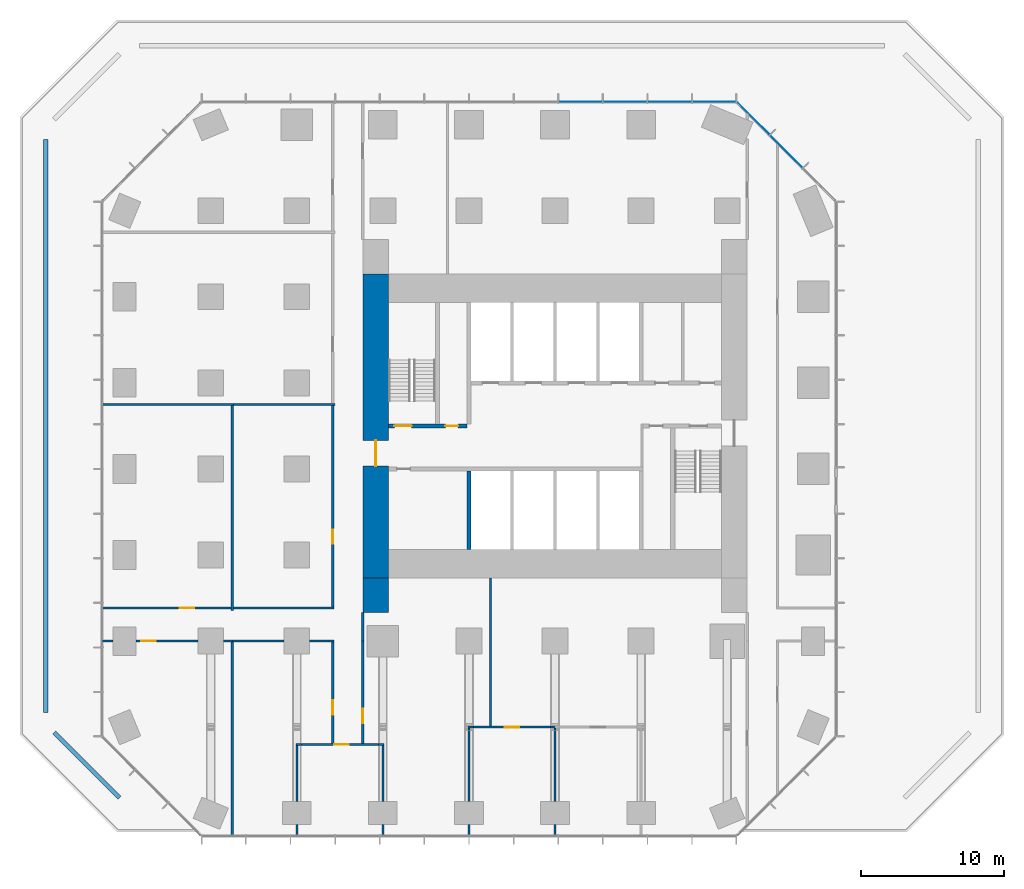
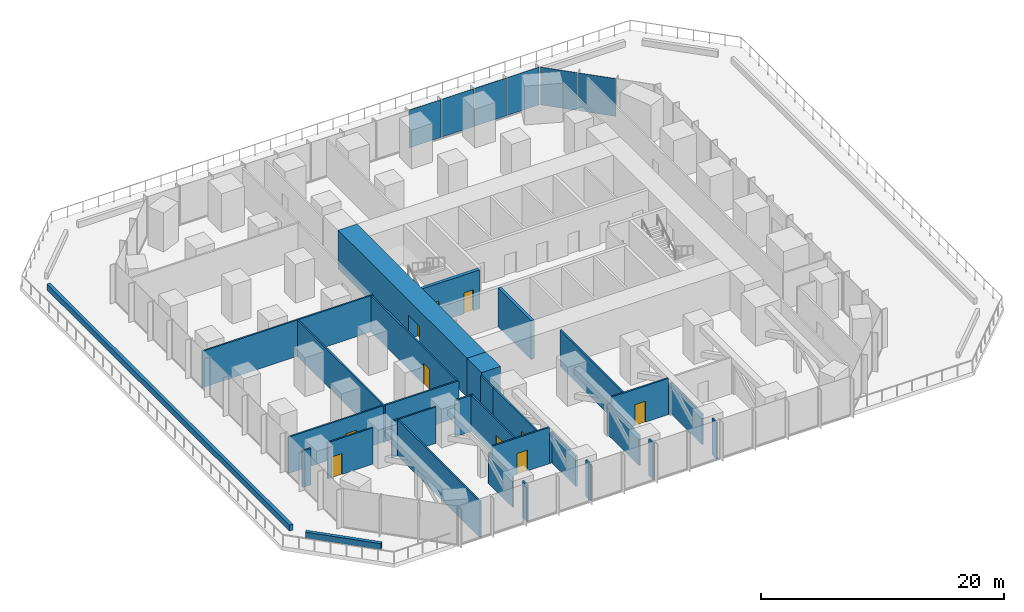
# One storey, part 8 of 11: 36 walls, 10 doors, 6 plates, 10 openings, 2 elements without a shape of their own.
"""IFC4 building model written with IfcOpenShell, lengths in metres."""

from ifc_helpers import new_model, si_unit, direction, frame, frame_2d, origin, origin_2d, place, context, subcontext, project, spatial, rectangle, extrude, material, layer, layer_set, type_object, element, fill, aggregate, save


model = new_model("IFC4")

# Units and contexts
model_context = context("Model", 3, precision=1e-05, world=origin(), true_north=direction((0.0, 1.0)))
body_context = subcontext(model_context, "Body", "Model", "MODEL_VIEW")
ifc_project = project(units=[si_unit("LENGTHUNIT", "METRE"), si_unit("AREAUNIT", "SQUARE_METRE"), si_unit("VOLUMEUNIT", "CUBIC_METRE"), si_unit("PLANEANGLEUNIT", "RADIAN"), si_unit("MASSUNIT", "GRAM", prefix="KILO")], contexts=[model_context])

# Site, building, storey
site_placement = place(None, origin())
site = spatial("IfcSite", under=ifc_project, at=site_placement, CompositionType="ELEMENT")
building_placement = place(site_placement, origin())
building = spatial("IfcBuilding", under=site, at=building_placement, Name="Highveld Stack Headquarters", CompositionType="ELEMENT")
storey_placement = place(building_placement, frame((0.0, 0.0, 18.199951171875)))
storey = spatial("IfcBuildingStorey", under=building, at=storey_placement, Name="L03", CompositionType="ELEMENT", Elevation=18.199951171875)

# Curtain wall, plates
ifc_material_1 = material(Name="Aluminium bronze anodised", Category="aluminium")
ifc_layer_1 = layer(ifc_material_1, 0.199951171875)
ifc_layer_set_1 = layer_set([ifc_layer_1], Name="Aluminium bronze anodised")
curtain_wall_type_1 = type_object("IfcCurtainWallType", Name="CW1 TOWER UNITISED CURTAIN WALL", PredefinedType="NOTDEFINED", material=ifc_layer_set_1)
curtain_wall_1_placement = place(storey_placement, origin())
curtain_wall_1 = element("IfcCurtainWall", 1, at=curtain_wall_1_placement, inside=storey, type_object=curtain_wall_type_1, Name="Curtain wall CW1 L03 N", PredefinedType="NOTDEFINED")
ifc_material_2 = material(Name="Glass bronze tinted double glazed unit", Category="glass")
ifc_layer_2 = layer(ifc_material_2, 0.028076171875)
ifc_layer_set_2 = layer_set([ifc_layer_2], Name="Glass bronze tinted double glazed unit")
plate_type_1 = type_object("IfcPlateType", Name="CW1 PANEL BRONZE TINTED DOUBLE GLAZED UNIT", PredefinedType="CURTAIN_PANEL", material=ifc_layer_set_2)
plate_1_placement = place(storey_placement, frame((17.09130859375, 25.60009765625, 0.10009765625), z_axis=(0.0, 0.0, 1.0), x_axis=(-1.0, 0.0, 0.0)))
plate_1 = element("IfcPlate", 2, at=plate_1_placement, type_object=plate_type_1, Name="CW1 panel L03 1.1", PredefinedType="CURTAIN_PANEL", context=body_context, shape_type="SweptSolid", body=[
    extrude(rectangle(XDim=3.012939453125, YDim=0.028076171875, at=origin_2d()), origin(), (0.0, 0.0, 1.0), 3.800048828125),
])
plate_2_placement = place(storey_placement, frame((13.9970703125, 25.60009765625, 0.10009765625), z_axis=(0.0, 0.0, 1.0), x_axis=(-1.0, 0.0, 0.0)))
plate_2 = element("IfcPlate", 3, at=plate_2_placement, type_object=plate_type_1, Name="CW1 panel L03 2.1", PredefinedType="CURTAIN_PANEL", context=body_context, shape_type="SweptSolid", body=[
    extrude(rectangle(XDim=3.04541015625, YDim=0.028076171875, at=origin_2d()), origin(), (0.0, 0.0, 1.0), 3.800048828125),
])
plate_3_placement = place(storey_placement, frame((10.88671875, 25.60009765625, 0.10009765625), z_axis=(0.0, 0.0, 1.0), x_axis=(-1.0, 0.0, 0.0)))
plate_3 = element("IfcPlate", 4, at=plate_3_placement, type_object=plate_type_1, Name="CW1 panel L03 3.1", PredefinedType="CURTAIN_PANEL", context=body_context, shape_type="SweptSolid", body=[
    extrude(rectangle(XDim=3.04541015625, YDim=0.028076171875, at=origin_2d()), origin(), (0.0, 0.0, 1.0), 3.800048828125),
])
plate_4_placement = place(storey_placement, frame((7.776123046875, 25.60009765625, 0.10009765625), z_axis=(0.0, 0.0, 1.0), x_axis=(-1.0, 0.0, 0.0)))
plate_4 = element("IfcPlate", 5, at=plate_4_placement, type_object=plate_type_1, Name="CW1 panel L03 4.1", PredefinedType="CURTAIN_PANEL", context=body_context, shape_type="SweptSolid", body=[
    extrude(rectangle(XDim=3.04541015625, YDim=0.028076171875, at=origin_2d()), origin(), (0.0, 0.0, 1.0), 3.800048828125),
])
aggregate(curtain_wall_1, [plate_1, plate_2, plate_3, plate_4])

ifc_material_3 = material(Name="Aluminium bronze anodised", Category="aluminium")
ifc_layer_3 = layer(ifc_material_3, 0.199951171875)
ifc_layer_set_3 = layer_set([ifc_layer_3], Name="Aluminium bronze anodised")
curtain_wall_type_2 = type_object("IfcCurtainWallType", Name="CW2 TOWER CHAMFER UNITISED CURTAIN WALL", PredefinedType="NOTDEFINED", material=ifc_layer_set_3)
curtain_wall_2_placement = place(storey_placement, origin())
curtain_wall_2 = element("IfcCurtainWall", 6, at=curtain_wall_2_placement, inside=storey, type_object=curtain_wall_type_2, Name="Curtain wall CW2 L03 NE", PredefinedType="NOTDEFINED")
ifc_material_4 = material(Name="Glass bronze tinted double glazed unit", Category="glass")
ifc_layer_4 = layer(ifc_material_4, 0.028076171875)
ifc_layer_set_4 = layer_set([ifc_layer_4], Name="Glass bronze tinted double glazed unit")
plate_type_2 = type_object("IfcPlateType", Name="CW2 PANEL BRONZE TINTED DOUBLE GLAZED UNIT", PredefinedType="CURTAIN_PANEL", material=ifc_layer_set_4)
plate_5_placement = place(storey_placement, frame((22.13134765625, 22.13134765625, 0.10009765625), z_axis=(0.0, 0.0, 1.0), x_axis=(-0.707106781187, 0.707106781187, 0.0)))
plate_5 = element("IfcPlate", 7, at=plate_5_placement, type_object=plate_type_2, Name="CW2 panel L03 2.1", PredefinedType="CURTAIN_PANEL", context=body_context, shape_type="SweptSolid", body=[
    extrude(rectangle(XDim=3.205322265625, YDim=0.028076171875, at=origin_2d()), origin(), (0.0, 0.0, 1.0), 3.800048828125),
])
plate_6_placement = place(storey_placement, frame((19.8427734375, 24.419921875, 0.10009765625), z_axis=(0.0, 0.0, 1.0), x_axis=(-0.707106781187, 0.707106781187, 0.0)))
plate_6 = element("IfcPlate", 8, at=plate_6_placement, type_object=plate_type_2, Name="CW2 panel L03 3.1", PredefinedType="CURTAIN_PANEL", context=body_context, shape_type="SweptSolid", body=[
    extrude(rectangle(XDim=3.1376953125, YDim=0.028076171875, at=origin_2d()), origin(), (0.0, 0.0, 1.0), 3.800048828125),
])
aggregate(curtain_wall_2, [plate_5, plate_6])

# Wall, opening, door
ifc_material_5 = material(Name="Concrete C60/75", Category="concrete")
ifc_layer_5 = layer(ifc_material_5, 1.800048828125)
ifc_layer_set_5 = layer_set([ifc_layer_5], Name="Concrete C60/75")
wall_type_1 = type_object("IfcWallType", Name="CORE WALL 1800 C60/75", PredefinedType="SHEAR", material=ifc_layer_set_5)
wall_1_placement = place(storey_placement, frame((-6.5, -7.60009765625, 0.0), z_axis=(0.0, 0.0, 1.0), x_axis=(0.0, 1.0, 0.0)))
wall_1 = element("IfcWall", 9, at=wall_1_placement, inside=storey, type_object=wall_type_1, Name="Core wall W L03", PredefinedType="SHEAR", context=body_context, shape_type="SweptSolid", body=[
    extrude(rectangle(XDim=21.2001953125, YDim=1.800048828125, at=frame_2d((10.60009765625, 0.0))), origin(), (0.0, 0.0, 1.0), 3.900146484375),
])
opening_1_placement = place(wall_1_placement, frame((7.800048828125, 0.0, 0.0)))
opening_1 = element("IfcOpeningElement", 10, at=opening_1_placement, cuts=wall_1, Name="Opening L03-02", PredefinedType="OPENING", context=body_context, shape_type="SweptSolid", body=[
    extrude(rectangle(XDim=1.800048828125, YDim=2.39990234375, at=frame_2d((0.89990234375, 1.199951171875))), frame((0.0, 0.909912109375, 0.0), z_axis=(0.0, -1.0, 0.0), x_axis=(1.0, 0.0, 0.0)), (0.0, 0.0, 1.0), 1.820068359375),
])
ifc_material_6 = material(Name="Steel fire door", Category="steel")
door_type_1 = type_object("IfcDoorType", Name="LOBBY FIRE DOOR D4 1800x2400", OperationType="DOUBLE_DOOR_SINGLE_SWING", PredefinedType="DOOR", material=ifc_material_6)
door_1_placement = place(opening_1_placement, origin())
door_1 = element("IfcDoor", 11, at=door_1_placement, inside=storey, type_object=door_type_1, Name="Core west door L03", OperationType="DOUBLE_DOOR_SINGLE_SWING", OverallHeight=2.39990234375, OverallWidth=1.800048828125, PredefinedType="DOOR", context=body_context, shape_type="SweptSolid", body=[
    extrude(rectangle(XDim=1.800048828125, YDim=2.39990234375, at=frame_2d((0.89990234375, 1.199951171875))), frame((0.0, 0.02490234375, 0.0), z_axis=(0.0, -1.0, 0.0), x_axis=(1.0, 0.0, 0.0)), (0.0, 0.0, 1.0), 0.050048828125),
])
fill(opening_1, door_1)

# Wall, openings, doors
ifc_material_7 = material(Name="Concrete C60/75", Category="concrete")
ifc_layer_6 = layer(ifc_material_7, 0.300048828125)
ifc_layer_set_6 = layer_set([ifc_layer_6], Name="Concrete C60/75")
wall_type_2 = type_object("IfcWallType", Name="CORE WALL 300 C60/75", PredefinedType="SHEAR", material=ifc_layer_set_6)
wall_2_placement = place(storey_placement, frame((-5.60009765625, 3.0, 0.0), z_axis=(0.0, 0.0, 1.0), x_axis=(1.0, 0.0, 0.0)))
wall_2 = element("IfcWall", 12, at=wall_2_placement, inside=storey, type_object=wall_type_2, Name="Core wall I-Y3W L03", PredefinedType="SHEAR", context=body_context, shape_type="SweptSolid", body=[
    extrude(rectangle(XDim=5.4501953125, YDim=0.300048828125, at=frame_2d((2.72509765625, 0.0))), origin(), (0.0, 0.0, 1.0), 3.900146484375),
])
opening_2_placement = place(wall_2_placement, frame((0.39990234375, 0.0, 0.0)))
opening_2 = element("IfcOpeningElement", 13, at=opening_2_placement, cuts=wall_2, Name="Opening L03-04", PredefinedType="OPENING", context=body_context, shape_type="SweptSolid", body=[
    extrude(rectangle(XDim=1.199951171875, YDim=2.10009765625, at=frame_2d((0.60009765625, 1.050048828125))), frame((0.0, 0.159912109375, 0.0), z_axis=(0.0, -1.0, 0.0), x_axis=(1.0, 0.0, 0.0)), (0.0, 0.0, 1.0), 0.320068359375),
])
opening_3_placement = place(wall_2_placement, frame((3.949951171875, 0.0, 0.0)))
opening_3 = element("IfcOpeningElement", 14, at=opening_3_placement, cuts=wall_2, Name="Opening L03-05", PredefinedType="OPENING", context=body_context, shape_type="SweptSolid", body=[
    extrude(rectangle(XDim=0.89990234375, YDim=2.10009765625, at=frame_2d((0.449951171875, 1.050048828125))), frame((0.0, 0.159912109375, 0.0), z_axis=(0.0, -1.0, 0.0), x_axis=(1.0, 0.0, 0.0)), (0.0, 0.0, 1.0), 0.320068359375),
])
ifc_material_8 = material(Name="Steel fire door", Category="steel")
door_type_2 = type_object("IfcDoorType", Name="RISER ACCESS DOOR D5 900x2100", OperationType="SINGLE_SWING_LEFT", PredefinedType="DOOR", material=ifc_material_8)
door_2_placement = place(opening_3_placement, origin())
door_2 = element("IfcDoor", 15, at=door_2_placement, inside=storey, type_object=door_type_2, Name="Riser R1 door L03", OperationType="SINGLE_SWING_RIGHT", OverallHeight=2.10009765625, OverallWidth=0.89990234375, PredefinedType="DOOR", context=body_context, shape_type="SweptSolid", body=[
    extrude(rectangle(XDim=0.89990234375, YDim=2.10009765625, at=frame_2d((0.449951171875, 1.050048828125))), frame((0.0, 0.02490234375, 0.0), z_axis=(0.0, -1.0, 0.0), x_axis=(1.0, 0.0, 0.0)), (0.0, 0.0, 1.0), 0.050048828125),
])
fill(opening_3, door_2)
ifc_material_9 = material(Name="Steel fire door", Category="steel")
door_type_3 = type_object("IfcDoorType", Name="STAIR FIRE DOOR D3 1200x2100", OperationType="SINGLE_SWING_LEFT", PredefinedType="DOOR", material=ifc_material_9)
door_3_placement = place(opening_2_placement, origin())
door_3 = element("IfcDoor", 16, at=door_3_placement, inside=storey, type_object=door_type_3, Name="Stair S1 door L03", OperationType="SINGLE_SWING_LEFT", OverallHeight=2.10009765625, OverallWidth=1.199951171875, PredefinedType="DOOR", context=body_context, shape_type="SweptSolid", body=[
    extrude(rectangle(XDim=1.199951171875, YDim=2.10009765625, at=frame_2d((0.60009765625, 1.050048828125))), frame((0.0, 0.02490234375, 0.0), z_axis=(0.0, -1.0, 0.0), x_axis=(1.0, 0.0, 0.0)), (0.0, 0.0, 1.0), 0.050048828125),
])
fill(opening_2, door_3)

# Walls
wall_3_placement = place(storey_placement, frame((0.0, -5.60009765625, 0.0), z_axis=(0.0, 0.0, 1.0), x_axis=(0.0, 1.0, 0.0)))
element("IfcWall", 17, at=wall_3_placement, inside=storey, type_object=wall_type_2, Name="Core wall I-X0S L03", PredefinedType="SHEAR", context=body_context, shape_type="SweptSolid", body=[
    extrude(rectangle(XDim=5.4501953125, YDim=0.300048828125, at=frame_2d((2.72509765625, 0.0))), origin(), (0.0, 0.0, 1.0), 3.900146484375),
])
ifc_material_10 = material(Name="Concrete C60/75", Category="concrete")
ifc_layer_7 = layer(ifc_material_10, 1.800048828125)
ifc_layer_set_7 = layer_set([ifc_layer_7], Name="Concrete C60/75")
wall_type_3 = type_object("IfcWallType", Name="CORE WING WALL 1800 C60/75", PredefinedType="SHEAR", material=ifc_layer_set_7)
wall_4_placement = place(storey_placement, frame((-6.5, -10.0, 0.0), z_axis=(0.0, 0.0, 1.0), x_axis=(0.0, 1.0, 0.0)))
element("IfcWall", 18, at=wall_4_placement, inside=storey, type_object=wall_type_3, Name="Core wing wall WS L03", PredefinedType="SHEAR", context=body_context, shape_type="SweptSolid", body=[
    extrude(rectangle(XDim=2.39990234375, YDim=1.800048828125, at=frame_2d((1.199951171875, 0.0))), origin(), (0.0, 0.0, 1.0), 3.900146484375),
])
ifc_material_11 = material(Name="Gypsum plasterboard on steel studs", Category="steel")
ifc_layer_8 = layer(ifc_material_11, 0.14990234375)
ifc_layer_set_8 = layer_set([ifc_layer_8], Name="Gypsum plasterboard on steel studs")
wall_type_4 = type_object("IfcWallType", Name="PARTITION 150 PLASTERBOARD", PredefinedType="PARTITIONING", material=ifc_layer_set_8)
wall_5_placement = place(storey_placement, frame((-12.074951171875, -19.199951171875, 0.0), z_axis=(0.0, 0.0, 1.0), x_axis=(1.0, 0.0, 0.0)))
element("IfcWall", 19, at=wall_5_placement, inside=storey, type_object=wall_type_4, Name="Partition Tea kitchen L03", PredefinedType="PARTITIONING", context=body_context, shape_type="SweptSolid", body=[
    extrude(rectangle(XDim=0.385009765625, YDim=0.14990234375, at=frame_2d((0.1923828125, 0.0))), origin(), (0.0, 0.0, 1.0), 3.050048828125),
])

# Wall, opening, door
wall_6_placement = place(storey_placement, frame((-11.68994140625, -19.199951171875, 0.0), z_axis=(0.0, 0.0, 1.0), x_axis=(1.0, 0.0, 0.0)))
wall_6 = element("IfcWall", 20, at=wall_6_placement, inside=storey, type_object=wall_type_4, Name="Partition Tea kitchen L03", PredefinedType="PARTITIONING", context=body_context, shape_type="SweptSolid", body=[
    extrude(rectangle(XDim=5.3798828125, YDim=0.14990234375, at=frame_2d((2.68994140625, 0.0))), origin(), (0.0, 0.0, 1.0), 3.650146484375),
])
opening_4_placement = place(wall_6_placement, frame((2.300048828125, 0.0, 0.0)))
opening_4 = element("IfcOpeningElement", 21, at=opening_4_placement, cuts=wall_6, Name="Opening L03-11", PredefinedType="OPENING", context=body_context, shape_type="SweptSolid", body=[
    extrude(rectangle(XDim=1.0, YDim=2.10009765625, at=frame_2d((0.5, 1.050048828125))), frame((0.0, 0.0849609375, 0.0), z_axis=(0.0, -1.0, 0.0), x_axis=(1.0, 0.0, 0.0)), (0.0, 0.0, 1.0), 0.169921875),
])
ifc_material_12 = material(Name="Timber door, oiled ash", Category="wood")
door_type_4 = type_object("IfcDoorType", Name="ROOM DOOR D6 1000x2100", OperationType="SINGLE_SWING_LEFT", PredefinedType="DOOR", material=ifc_material_12)
door_4_placement = place(opening_4_placement, origin())
door_4 = element("IfcDoor", 22, at=door_4_placement, inside=storey, type_object=door_type_4, Name="Tea kitchen door 1 L03", OperationType="SINGLE_SWING_RIGHT", OverallHeight=2.10009765625, OverallWidth=1.0, PredefinedType="DOOR", context=body_context, shape_type="SweptSolid", body=[
    extrude(rectangle(XDim=1.0, YDim=2.10009765625, at=frame_2d((0.5, 1.050048828125))), frame((0.0, 0.02490234375, 0.0), z_axis=(0.0, -1.0, 0.0), x_axis=(1.0, 0.0, 0.0)), (0.0, 0.0, 1.0), 0.050048828125),
])
fill(opening_4, door_4)

# Walls
for number, where, z_axis, x_axis, name in (
    (23, (-6.31005859375, -19.199951171875, 0.0), (0.0, 0.0, 1.0), (1.0, 0.0, 0.0), "Partition Tea kitchen L03"),
    (24, (-0.074951171875, -18.0, 0.0), (0.0, 0.0, 1.0), (1.0, 0.0, 0.0), "Partition Office L03"),
):
    element("IfcWall", number, at=place(storey_placement, frame(where, z_axis=z_axis, x_axis=x_axis)), inside=storey, type_object=wall_type_4, Name=name, PredefinedType="PARTITIONING", context=body_context, shape_type="SweptSolid", body=[
        extrude(rectangle(XDim=0.385009765625, YDim=0.14990234375, at=frame_2d((0.1923828125, 0.0))), origin(), (0.0, 0.0, 1.0), 3.050048828125),
    ])

# Wall, opening, door
wall_7_placement = place(storey_placement, frame((0.31005859375, -18.0, 0.0), z_axis=(0.0, 0.0, 1.0), x_axis=(1.0, 0.0, 0.0)))
wall_7 = element("IfcWall", 25, at=wall_7_placement, inside=storey, type_object=wall_type_4, Name="Partition Office L03", PredefinedType="PARTITIONING", context=body_context, shape_type="SweptSolid", body=[
    extrude(rectangle(XDim=5.3798828125, YDim=0.14990234375, at=frame_2d((2.68994140625, 0.0))), origin(), (0.0, 0.0, 1.0), 3.650146484375),
])
opening_5_placement = place(wall_7_placement, frame((2.18994140625, 0.0, 0.0)))
opening_5 = element("IfcOpeningElement", 26, at=opening_5_placement, cuts=wall_7, Name="Opening L03-12", PredefinedType="OPENING", context=body_context, shape_type="SweptSolid", body=[
    extrude(rectangle(XDim=1.0, YDim=2.10009765625, at=frame_2d((0.5, 1.050048828125))), frame((0.0, 0.0849609375, 0.0), z_axis=(0.0, -1.0, 0.0), x_axis=(1.0, 0.0, 0.0)), (0.0, 0.0, 1.0), 0.169921875),
])
door_5_placement = place(opening_5_placement, origin())
door_5 = element("IfcDoor", 27, at=door_5_placement, inside=storey, type_object=door_type_4, Name="Office door 1 L03", OperationType="SINGLE_SWING_RIGHT", OverallHeight=2.10009765625, OverallWidth=1.0, PredefinedType="DOOR", context=body_context, shape_type="SweptSolid", body=[
    extrude(rectangle(XDim=1.0, YDim=2.10009765625, at=frame_2d((0.5, 1.050048828125))), frame((0.0, 0.02490234375, 0.0), z_axis=(0.0, -1.0, 0.0), x_axis=(1.0, 0.0, 0.0)), (0.0, 0.0, 1.0), 0.050048828125),
])
fill(opening_5, door_5)

# Walls
wall_8_placement = place(storey_placement, frame((5.68994140625, -18.0, 0.0), z_axis=(0.0, 0.0, 1.0), x_axis=(1.0, 0.0, 0.0)))
element("IfcWall", 28, at=wall_8_placement, inside=storey, type_object=wall_type_4, Name="Partition Office L03", PredefinedType="PARTITIONING", context=body_context, shape_type="SweptSolid", body=[
    extrude(rectangle(XDim=0.385009765625, YDim=0.14990234375, at=frame_2d((0.1923828125, 0.0))), origin(), (0.0, 0.0, 1.0), 3.050048828125),
])
wall_9_placement = place(storey_placement, frame((-12.0, -25.60009765625, 0.0), z_axis=(0.0, 0.0, 1.0), x_axis=(0.0, 1.0, 0.0)))
element("IfcWall", 29, at=wall_9_placement, inside=storey, type_object=wall_type_4, Name="Partition Tea kitchen L03", PredefinedType="PARTITIONING", context=body_context, shape_type="SweptSolid", body=[
    extrude(rectangle(XDim=0.800048828125, YDim=0.14990234375, at=frame_2d((0.39990234375, 0.0))), origin(), (0.0, 0.0, 1.0), 3.650146484375),
])
wall_10_placement = place(storey_placement, frame((-12.0, -23.199951171875, 0.0), z_axis=(0.0, 0.0, 1.0), x_axis=(0.0, 1.0, 0.0)))
element("IfcWall", 30, at=wall_10_placement, inside=storey, type_object=wall_type_4, Name="Partition Tea kitchen L03", PredefinedType="PARTITIONING", context=body_context, shape_type="SweptSolid", body=[
    extrude(rectangle(XDim=3.925048828125, YDim=0.14990234375, at=frame_2d((1.96240234375, 0.0))), origin(), (0.0, 0.0, 1.0), 3.050048828125),
])
wall_11_placement = place(storey_placement, frame((-6.0, -25.60009765625, 0.0), z_axis=(0.0, 0.0, 1.0), x_axis=(0.0, 1.0, 0.0)))
element("IfcWall", 31, at=wall_11_placement, inside=storey, type_object=wall_type_4, Name="Partition Tea kitchen L03", PredefinedType="PARTITIONING", context=body_context, shape_type="SweptSolid", body=[
    extrude(rectangle(XDim=0.800048828125, YDim=0.14990234375, at=frame_2d((0.39990234375, 0.0))), origin(), (0.0, 0.0, 1.0), 3.650146484375),
])
wall_12_placement = place(storey_placement, frame((-6.0, -23.199951171875, 0.0), z_axis=(0.0, 0.0, 1.0), x_axis=(0.0, 1.0, 0.0)))
element("IfcWall", 32, at=wall_12_placement, inside=storey, type_object=wall_type_4, Name="Partition Tea kitchen L03", PredefinedType="PARTITIONING", context=body_context, shape_type="SweptSolid", body=[
    extrude(rectangle(XDim=3.925048828125, YDim=0.14990234375, at=frame_2d((1.96240234375, 0.0))), origin(), (0.0, 0.0, 1.0), 3.050048828125),
])
wall_13_placement = place(storey_placement, frame((0.0, -25.550048828125, 0.0), z_axis=(0.0, 0.0, 1.0), x_axis=(0.0, 1.0, 0.0)))
element("IfcWall", 33, at=wall_13_placement, inside=storey, type_object=wall_type_4, Name="Partition Office L03", PredefinedType="PARTITIONING", context=body_context, shape_type="SweptSolid", body=[
    extrude(rectangle(XDim=0.75, YDim=0.14990234375, at=frame_2d((0.375, 0.0))), origin(), (0.0, 0.0, 1.0), 3.650146484375),
])
wall_14_placement = place(storey_placement, frame((0.0, -23.199951171875, 0.0), z_axis=(0.0, 0.0, 1.0), x_axis=(0.0, 1.0, 0.0)))
element("IfcWall", 34, at=wall_14_placement, inside=storey, type_object=wall_type_4, Name="Partition Office L03", PredefinedType="PARTITIONING", context=body_context, shape_type="SweptSolid", body=[
    extrude(rectangle(XDim=5.125, YDim=0.14990234375, at=frame_2d((2.5625, 0.0))), origin(), (0.0, 0.0, 1.0), 3.050048828125),
])
wall_15_placement = place(storey_placement, frame((6.0, -25.60009765625, 0.0), z_axis=(0.0, 0.0, 1.0), x_axis=(0.0, 1.0, 0.0)))
element("IfcWall", 35, at=wall_15_placement, inside=storey, type_object=wall_type_4, Name="Partition Office L03", PredefinedType="PARTITIONING", context=body_context, shape_type="SweptSolid", body=[
    extrude(rectangle(XDim=0.800048828125, YDim=0.14990234375, at=frame_2d((0.39990234375, 0.0))), origin(), (0.0, 0.0, 1.0), 3.650146484375),
])
wall_16_placement = place(storey_placement, frame((6.0, -23.199951171875, 0.0), z_axis=(0.0, 0.0, 1.0), x_axis=(0.0, 1.0, 0.0)))
element("IfcWall", 36, at=wall_16_placement, inside=storey, type_object=wall_type_4, Name="Partition Office L03", PredefinedType="PARTITIONING", context=body_context, shape_type="SweptSolid", body=[
    extrude(rectangle(XDim=5.125, YDim=0.14990234375, at=frame_2d((2.5625, 0.0))), origin(), (0.0, 0.0, 1.0), 3.050048828125),
])
wall_17_placement = place(storey_placement, frame((-25.60009765625, -12.0, 0.0), z_axis=(0.0, 0.0, 1.0), x_axis=(1.0, 0.0, 0.0)))
element("IfcWall", 37, at=wall_17_placement, inside=storey, type_object=wall_type_4, Name="Partition office neighbourhood L03", PredefinedType="PARTITIONING", context=body_context, shape_type="SweptSolid", body=[
    extrude(rectangle(XDim=0.800048828125, YDim=0.14990234375, at=frame_2d((0.39990234375, 0.0))), origin(), (0.0, 0.0, 1.0), 3.650146484375),
])

# Wall, opening, door
wall_18_placement = place(storey_placement, frame((-23.199951171875, -12.0, 0.0), z_axis=(0.0, 0.0, 1.0), x_axis=(1.0, 0.0, 0.0)))
wall_18 = element("IfcWall", 38, at=wall_18_placement, inside=storey, type_object=wall_type_4, Name="Partition office neighbourhood L03", PredefinedType="PARTITIONING", context=body_context, shape_type="SweptSolid", body=[
    extrude(rectangle(XDim=4.300048828125, YDim=0.14990234375, at=frame_2d((2.14990234375, 0.0))), origin(), (0.0, 0.0, 1.0), 3.650146484375),
])
opening_6_placement = place(wall_18_placement, frame((0.35009765625, 0.0, 0.0)))
opening_6 = element("IfcOpeningElement", 39, at=opening_6_placement, cuts=wall_18, Name="Opening L03-15", PredefinedType="OPENING", context=body_context, shape_type="SweptSolid", body=[
    extrude(rectangle(XDim=1.0, YDim=2.10009765625, at=frame_2d((0.5, 1.050048828125))), frame((0.0, 0.0849609375, 0.0), z_axis=(0.0, -1.0, 0.0), x_axis=(1.0, 0.0, 0.0)), (0.0, 0.0, 1.0), 0.169921875),
])
door_6_placement = place(opening_6_placement, origin())
door_6 = element("IfcDoor", 40, at=door_6_placement, inside=storey, type_object=door_type_4, Name="Office neighbourhood door L03", OperationType="SINGLE_SWING_LEFT", OverallHeight=2.10009765625, OverallWidth=1.0, PredefinedType="DOOR", context=body_context, shape_type="SweptSolid", body=[
    extrude(rectangle(XDim=1.0, YDim=2.10009765625, at=frame_2d((0.5, 1.050048828125))), frame((0.0, 0.02490234375, 0.0), z_axis=(0.0, -1.0, 0.0), x_axis=(1.0, 0.0, 0.0)), (0.0, 0.0, 1.0), 0.050048828125),
])
fill(opening_6, door_6)

# Wall
wall_19_placement = place(storey_placement, frame((-17.10009765625, -12.0, 0.0), z_axis=(0.0, 0.0, 1.0), x_axis=(1.0, 0.0, 0.0)))
element("IfcWall", 41, at=wall_19_placement, inside=storey, type_object=wall_type_4, Name="Partition office neighbourhood L03", PredefinedType="PARTITIONING", context=body_context, shape_type="SweptSolid", body=[
    extrude(rectangle(XDim=0.60009765625, YDim=0.14990234375, at=frame_2d((0.300048828125, 0.0))), origin(), (0.0, 0.0, 1.0), 3.650146484375),
])

# Wall, opening, door
wall_20_placement = place(storey_placement, frame((-25.60009765625, -9.699951171875, 0.0), z_axis=(0.0, 0.0, 1.0), x_axis=(1.0, 0.0, 0.0)))
wall_20 = element("IfcWall", 42, at=wall_20_placement, inside=storey, type_object=wall_type_4, Name="Partition office neighbourhood L03", PredefinedType="PARTITIONING", context=body_context, shape_type="SweptSolid", body=[
    extrude(rectangle(XDim=9.025146484375, YDim=0.14990234375, at=frame_2d((4.5126953125, 0.0))), origin(), (0.0, 0.0, 1.0), 3.650146484375),
])
opening_7_placement = place(wall_20_placement, frame((5.449951171875, 0.0, 0.0)))
opening_7 = element("IfcOpeningElement", 43, at=opening_7_placement, cuts=wall_20, Name="Opening L03-17", PredefinedType="OPENING", context=body_context, shape_type="SweptSolid", body=[
    extrude(rectangle(XDim=1.0, YDim=2.10009765625, at=frame_2d((0.5, 1.050048828125))), frame((0.0, 0.0849609375, 0.0), z_axis=(0.0, -1.0, 0.0), x_axis=(1.0, 0.0, 0.0)), (0.0, 0.0, 1.0), 0.169921875),
])
door_7_placement = place(opening_7_placement, origin())
door_7 = element("IfcDoor", 44, at=door_7_placement, inside=storey, type_object=door_type_4, Name="Office neighbourhood door L03", OperationType="SINGLE_SWING_RIGHT", OverallHeight=2.10009765625, OverallWidth=1.0, PredefinedType="DOOR", context=body_context, shape_type="SweptSolid", body=[
    extrude(rectangle(XDim=1.0, YDim=2.10009765625, at=frame_2d((0.5, 1.050048828125))), frame((0.0, 0.02490234375, 0.0), z_axis=(0.0, -1.0, 0.0), x_axis=(1.0, 0.0, 0.0)), (0.0, 0.0, 1.0), 0.050048828125),
])
fill(opening_7, door_7)

# Walls
wall_21_placement = place(storey_placement, frame((-25.60009765625, 4.5, 0.0), z_axis=(0.0, 0.0, 1.0), x_axis=(1.0, 0.0, 0.0)))
element("IfcWall", 45, at=wall_21_placement, inside=storey, type_object=wall_type_4, Name="Partition office neighbourhood L03", PredefinedType="PARTITIONING", context=body_context, shape_type="SweptSolid", body=[
    extrude(rectangle(XDim=9.175048828125, YDim=0.14990234375, at=frame_2d((4.58740234375, 0.0))), origin(), (0.0, 0.0, 1.0), 3.650146484375),
])
wall_22_placement = place(storey_placement, frame((-16.5, -25.60009765625, 0.0), z_axis=(0.0, 0.0, 1.0), x_axis=(0.0, 1.0, 0.0)))
element("IfcWall", 46, at=wall_22_placement, inside=storey, type_object=wall_type_4, Name="Partition office neighbourhood L03", PredefinedType="PARTITIONING", context=body_context, shape_type="SweptSolid", body=[
    extrude(rectangle(XDim=13.525146484375, YDim=0.14990234375, at=frame_2d((6.7626953125, 0.0))), origin(), (0.0, 0.0, 1.0), 3.650146484375),
])
wall_23_placement = place(storey_placement, frame((-16.5, -12.0, 0.0), z_axis=(0.0, 0.0, 1.0), x_axis=(1.0, 0.0, 0.0)))
element("IfcWall", 47, at=wall_23_placement, inside=storey, type_object=wall_type_4, Name="Partition office neighbourhood L03", PredefinedType="PARTITIONING", context=body_context, shape_type="SweptSolid", body=[
    extrude(rectangle(XDim=3.60009765625, YDim=0.14990234375, at=frame_2d((1.800048828125, 0.0))), origin(), (0.0, 0.0, 1.0), 3.650146484375),
])
wall_24_placement = place(storey_placement, frame((-11.10009765625, -12.0, 0.0), z_axis=(0.0, 0.0, 1.0), x_axis=(1.0, 0.0, 0.0)))
element("IfcWall", 48, at=wall_24_placement, inside=storey, type_object=wall_type_4, Name="Partition office neighbourhood L03", PredefinedType="PARTITIONING", context=body_context, shape_type="SweptSolid", body=[
    extrude(rectangle(XDim=1.675048828125, YDim=0.14990234375, at=frame_2d((0.83740234375, 0.0))), origin(), (0.0, 0.0, 1.0), 3.650146484375),
])
wall_25_placement = place(storey_placement, frame((-16.5, -9.85009765625, 0.0), z_axis=(0.0, 0.0, 1.0), x_axis=(0.0, 1.0, 0.0)))
element("IfcWall", 49, at=wall_25_placement, inside=storey, type_object=wall_type_4, Name="Partition office neighbourhood L03", PredefinedType="PARTITIONING", context=body_context, shape_type="SweptSolid", body=[
    extrude(rectangle(XDim=14.275146484375, YDim=0.14990234375, at=frame_2d((7.1376953125, 0.0))), origin(), (0.0, 0.0, 1.0), 3.650146484375),
])
wall_26_placement = place(storey_placement, frame((-16.425048828125, -9.699951171875, 0.0), z_axis=(0.0, 0.0, 1.0), x_axis=(1.0, 0.0, 0.0)))
element("IfcWall", 50, at=wall_26_placement, inside=storey, type_object=wall_type_4, Name="Partition office neighbourhood L03", PredefinedType="PARTITIONING", context=body_context, shape_type="SweptSolid", body=[
    extrude(rectangle(XDim=7.0, YDim=0.14990234375, at=frame_2d((3.5, 0.0))), origin(), (0.0, 0.0, 1.0), 3.650146484375),
])
wall_27_placement = place(storey_placement, frame((-16.425048828125, 4.5, 0.0), z_axis=(0.0, 0.0, 1.0), x_axis=(1.0, 0.0, 0.0)))
element("IfcWall", 51, at=wall_27_placement, inside=storey, type_object=wall_type_4, Name="Partition office neighbourhood L03", PredefinedType="PARTITIONING", context=body_context, shape_type="SweptSolid", body=[
    extrude(rectangle(XDim=7.074951171875, YDim=0.14990234375, at=frame_2d((3.53759765625, 0.0))), origin(), (0.0, 0.0, 1.0), 3.650146484375),
])

# Wall, opening, door
wall_28_placement = place(storey_placement, frame((-9.5, -19.125, 0.0), z_axis=(0.0, 0.0, 1.0), x_axis=(0.0, 1.0, 0.0)))
wall_28 = element("IfcWall", 52, at=wall_28_placement, inside=storey, type_object=wall_type_4, Name="Partition office neighbourhood L03", PredefinedType="PARTITIONING", context=body_context, shape_type="SweptSolid", body=[
    extrude(rectangle(XDim=7.050048828125, YDim=0.14990234375, at=frame_2d((3.52490234375, 0.0))), origin(), (0.0, 0.0, 1.0), 3.650146484375),
])
opening_8_placement = place(wall_28_placement, frame((1.993896484375, 0.0, 0.0)))
opening_8 = element("IfcOpeningElement", 53, at=opening_8_placement, cuts=wall_28, Name="Opening L03-14", PredefinedType="OPENING", context=body_context, shape_type="SweptSolid", body=[
    extrude(rectangle(XDim=1.0, YDim=2.10009765625, at=frame_2d((0.5, 1.050048828125))), frame((0.0, 0.0849609375, 0.0), z_axis=(0.0, -1.0, 0.0), x_axis=(1.0, 0.0, 0.0)), (0.0, 0.0, 1.0), 0.169921875),
])
door_8_placement = place(opening_8_placement, origin())
door_8 = element("IfcDoor", 54, at=door_8_placement, inside=storey, type_object=door_type_4, Name="Office neighbourhood door L03", OperationType="SINGLE_SWING_LEFT", OverallHeight=2.10009765625, OverallWidth=1.0, PredefinedType="DOOR", context=body_context, shape_type="SweptSolid", body=[
    extrude(rectangle(XDim=1.0, YDim=2.10009765625, at=frame_2d((0.5, 1.050048828125))), frame((0.0, 0.02490234375, 0.0), z_axis=(0.0, -1.0, 0.0), x_axis=(1.0, 0.0, 0.0)), (0.0, 0.0, 1.0), 0.050048828125),
])
fill(opening_8, door_8)

wall_29_placement = place(storey_placement, frame((-9.5, -9.625, 0.0), z_axis=(0.0, 0.0, 1.0), x_axis=(0.0, 1.0, 0.0)))
wall_29 = element("IfcWall", 55, at=wall_29_placement, inside=storey, type_object=wall_type_4, Name="Partition office neighbourhood L03", PredefinedType="PARTITIONING", context=body_context, shape_type="SweptSolid", body=[
    extrude(rectangle(XDim=14.050048828125, YDim=0.14990234375, at=frame_2d((7.02490234375, 0.0))), origin(), (0.0, 0.0, 1.0), 3.650146484375),
])
opening_9_placement = place(wall_29_placement, frame((4.39501953125, 0.0, 0.0)))
opening_9 = element("IfcOpeningElement", 56, at=opening_9_placement, cuts=wall_29, Name="Opening L03-18", PredefinedType="OPENING", context=body_context, shape_type="SweptSolid", body=[
    extrude(rectangle(XDim=1.0, YDim=2.10009765625, at=frame_2d((0.5, 1.050048828125))), frame((0.0, 0.0849609375, 0.0), z_axis=(0.0, -1.0, 0.0), x_axis=(1.0, 0.0, 0.0)), (0.0, 0.0, 1.0), 0.169921875),
])
door_9_placement = place(opening_9_placement, origin())
door_9 = element("IfcDoor", 57, at=door_9_placement, inside=storey, type_object=door_type_4, Name="Office neighbourhood door L03", OperationType="SINGLE_SWING_LEFT", OverallHeight=2.10009765625, OverallWidth=1.0, PredefinedType="DOOR", context=body_context, shape_type="SweptSolid", body=[
    extrude(rectangle(XDim=1.0, YDim=2.10009765625, at=frame_2d((0.5, 1.050048828125))), frame((0.0, 0.02490234375, 0.0), z_axis=(0.0, -1.0, 0.0), x_axis=(1.0, 0.0, 0.0)), (0.0, 0.0, 1.0), 0.050048828125),
])
fill(opening_9, door_9)

wall_30_placement = place(storey_placement, frame((-7.39990234375, -19.125, 0.0), z_axis=(0.0, 0.0, 1.0), x_axis=(0.0, 1.0, 0.0)))
wall_30 = element("IfcWall", 58, at=wall_30_placement, inside=storey, type_object=wall_type_4, Name="Partition office neighbourhood L03", PredefinedType="PARTITIONING", context=body_context, shape_type="SweptSolid", body=[
    extrude(rectangle(XDim=7.125, YDim=0.14990234375, at=frame_2d((3.5625, 0.0))), origin(), (0.0, 0.0, 1.0), 3.650146484375),
])
opening_10_placement = place(wall_30_placement, frame((1.39990234375, 0.0, 0.0)))
opening_10 = element("IfcOpeningElement", 59, at=opening_10_placement, cuts=wall_30, Name="Opening L03-23", PredefinedType="OPENING", context=body_context, shape_type="SweptSolid", body=[
    extrude(rectangle(XDim=1.0, YDim=2.10009765625, at=frame_2d((0.5, 1.050048828125))), frame((0.0, 0.0849609375, 0.0), z_axis=(0.0, -1.0, 0.0), x_axis=(1.0, 0.0, 0.0)), (0.0, 0.0, 1.0), 0.169921875),
])
door_10_placement = place(opening_10_placement, origin())
door_10 = element("IfcDoor", 60, at=door_10_placement, inside=storey, type_object=door_type_4, Name="Office neighbourhood door L03", OperationType="SINGLE_SWING_LEFT", OverallHeight=2.10009765625, OverallWidth=1.0, PredefinedType="DOOR", context=body_context, shape_type="SweptSolid", body=[
    extrude(rectangle(XDim=1.0, YDim=2.10009765625, at=frame_2d((0.5, 1.050048828125))), frame((0.0, 0.02490234375, 0.0), z_axis=(0.0, -1.0, 0.0), x_axis=(1.0, 0.0, 0.0)), (0.0, 0.0, 1.0), 0.050048828125),
])
fill(opening_10, door_10)

# Walls
wall_31_placement = place(storey_placement, frame((-7.39990234375, -12.0, 0.0), z_axis=(0.0, 0.0, 1.0), x_axis=(0.0, 1.0, 0.0)))
element("IfcWall", 61, at=wall_31_placement, inside=storey, type_object=wall_type_4, Name="Partition office neighbourhood L03", PredefinedType="PARTITIONING", context=body_context, shape_type="SweptSolid", body=[
    extrude(rectangle(XDim=2.0, YDim=0.14990234375, at=frame_2d((1.0, 0.0))), origin(), (0.0, 0.0, 1.0), 3.650146484375),
])
wall_32_placement = place(storey_placement, frame((1.5, -17.925048828125, 0.0), z_axis=(0.0, 0.0, 1.0), x_axis=(0.0, 1.0, 0.0)))
element("IfcWall", 62, at=wall_32_placement, inside=storey, type_object=wall_type_4, Name="Partition office neighbourhood L03", PredefinedType="PARTITIONING", context=body_context, shape_type="SweptSolid", body=[
    extrude(rectangle(XDim=10.324951171875, YDim=0.14990234375, at=frame_2d((5.16259765625, 0.0))), origin(), (0.0, 0.0, 1.0), 3.650146484375),
])
ifc_material_13 = material(Name="Concrete C40/50, precast planter", Category="concrete")
ifc_layer_9 = layer(ifc_material_13, 0.300048828125)
ifc_layer_set_9 = layer_set([ifc_layer_9], Name="Concrete C40/50, precast planter")
wall_type_5 = type_object("IfcWallType", Name="PLANTER WALL PL1 300", PredefinedType="USERDEFINED", material=ifc_layer_set_9)
wall_33_placement = place(storey_placement, frame((-24.370361328125, -22.922607421875, 0.0), z_axis=(0.0, 0.0, 1.0), x_axis=(-0.707106781187, 0.707106781187, 0.0)))
element("IfcWall", 63, at=wall_33_placement, inside=storey, type_object=wall_type_5, Name="Planter L03 1.2", ObjectType="PLANTER", PredefinedType="USERDEFINED", context=body_context, shape_type="SweptSolid", body=[
    extrude(rectangle(XDim=6.437744140625, YDim=0.300048828125, at=frame_2d((3.21875, 0.0))), origin(), (0.0, 0.0, 1.0), 0.60009765625),
])
wall_34_placement = place(storey_placement, frame((-29.5, -16.976318359375, 0.0), z_axis=(0.0, 0.0, 1.0), x_axis=(0.0, 1.0, 0.0)))
element("IfcWall", 64, at=wall_34_placement, inside=storey, type_object=wall_type_5, Name="Planter L03 1.3", ObjectType="PLANTER", PredefinedType="USERDEFINED", context=body_context, shape_type="SweptSolid", body=[
    extrude(rectangle(XDim=39.95263671875, YDim=0.300048828125, at=frame_2d((19.976318359375, 0.0))), origin(), (0.0, 0.0, 1.0), 0.60009765625),
])

save(model, "model.ifc")
